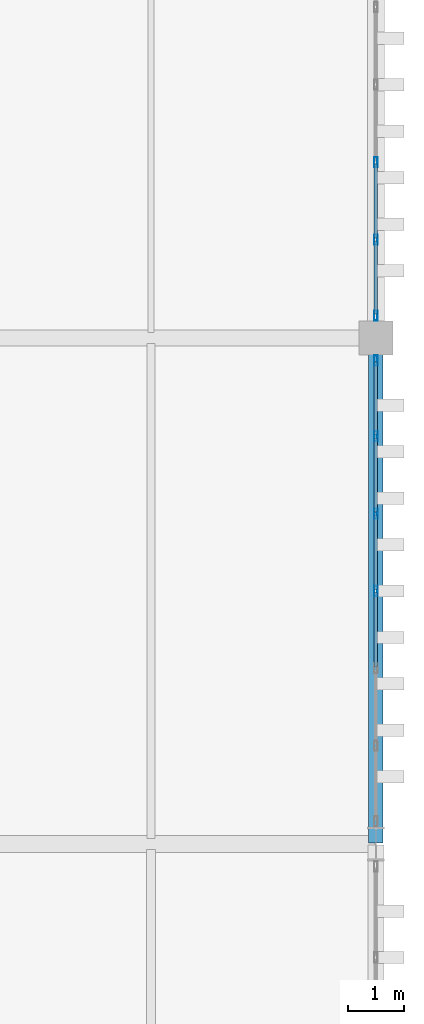
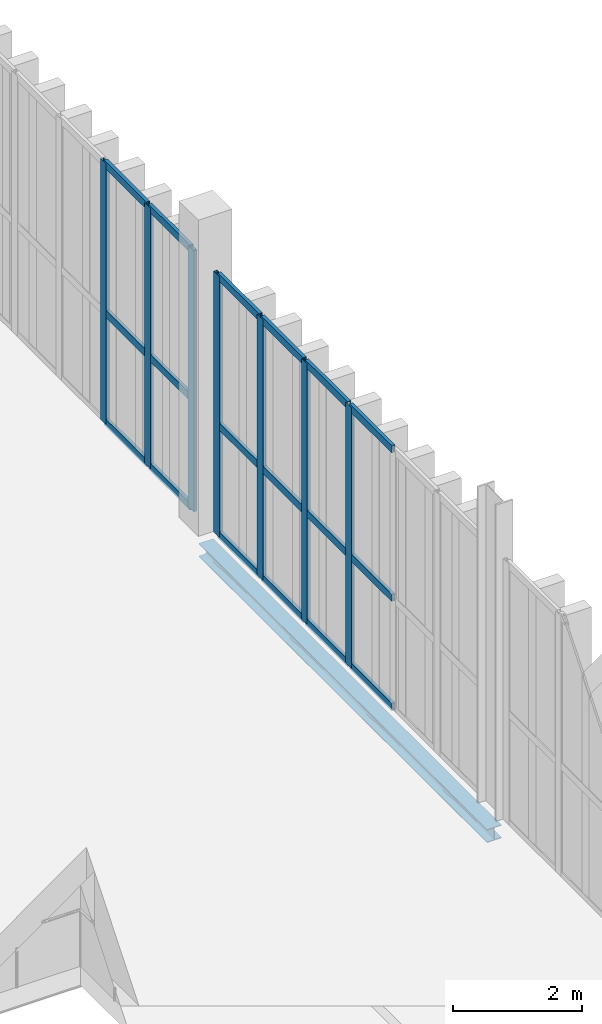
# One storey, part 103 of 211: 25 members, 1 beam, 2 elements without a shape of their own.
"""IFC4 building model written with IfcOpenShell, lengths in metres."""

from ifc_helpers import new_model, si_unit, direction, frame, origin, origin_2d, place, context, subcontext, project, spatial, hollow_rectangle, i_section, extrude, material, layer, layer_set, material_profile, profile_set, type_object, element, aggregate, save


model = new_model("IFC4")

# Units and contexts
model_context = context("Model", 3, precision=1e-05, world=origin(), true_north=direction((0.0, 1.0)))
body_context = subcontext(model_context, "Body", "Model", "MODEL_VIEW")
ifc_project = project(units=[si_unit("LENGTHUNIT", "METRE"), si_unit("AREAUNIT", "SQUARE_METRE"), si_unit("VOLUMEUNIT", "CUBIC_METRE"), si_unit("PLANEANGLEUNIT", "RADIAN"), si_unit("MASSUNIT", "GRAM", prefix="KILO")], contexts=[model_context])

# Site, building, storey
site_placement = place(None, origin())
site = spatial("IfcSite", under=ifc_project, at=site_placement, CompositionType="ELEMENT")
building_placement = place(site_placement, origin())
building = spatial("IfcBuilding", under=site, at=building_placement, Name="Barlavento Convention Centre", CompositionType="ELEMENT")
storey_placement = place(building_placement, frame((0.0, 0.0, 6.0)))
storey = spatial("IfcBuildingStorey", under=building, at=storey_placement, Name="L01", CompositionType="ELEMENT", Elevation=6.0)

# Curtain wall, members
ifc_material_1 = material(Name="Powder-coated aluminium and Low-E glass", Category="aluminium")
ifc_layer = layer(ifc_material_1, 0.195068359375)
ifc_layer_set = layer_set([ifc_layer], Name="ARC-CW-FOY-L01")
curtain_wall_type = type_object("IfcCurtainWallType", Name="ARC-CW-FOY-L01", PredefinedType="NOTDEFINED", material=ifc_layer_set)
curtain_wall_1_placement = place(storey_placement, origin())
curtain_wall_1 = element("IfcCurtainWall", 1, at=curtain_wall_1_placement, inside=storey, type_object=curtain_wall_type, Name="L01 unitised curtain wall CW03", PredefinedType="NOTDEFINED")
ifc_material_2 = material(Name="Powder-coated aluminium", Category="aluminium")
ifc_material_profile_1 = material_profile(ifc_material_2, hollow_rectangle(XDim=0.06005859375, YDim=0.179931640625, WallThickness=0.0048828125, at=origin_2d()), Name="AL-MULL 60x180x5")
ifc_profile_set_1 = profile_set([ifc_material_profile_1], Name="Powder-coated aluminium")
member_type_1 = type_object("IfcMemberType", Name="ARC-CWM-60X180", PredefinedType="MULLION", material=ifc_profile_set_1)
member_1_placement = place(storey_placement, frame((192.0, 22.5, 0.0), z_axis=(0.0, 0.0, 1.0), x_axis=(-1.0, 0.0, 0.0)))
member_1 = element("IfcMember", 2, at=member_1_placement, type_object=member_type_1, Name="CW03 mullion 4", PredefinedType="MULLION", context=body_context, shape_type="SweptSolid", body=[
    extrude(hollow_rectangle(XDim=0.06005859375, YDim=0.179931640625, WallThickness=0.0048828125, at=origin_2d()), origin(), (0.0, 0.0, 1.0), 4.949951171875),
])
member_2_placement = place(storey_placement, frame((192.0, 23.876708984375, 0.0), z_axis=(0.0, 0.0, 1.0), x_axis=(-1.0, 0.0, 0.0)))
member_2 = element("IfcMember", 3, at=member_2_placement, type_object=member_type_1, Name="CW03 mullion 5", PredefinedType="MULLION", context=body_context, shape_type="SweptSolid", body=[
    extrude(hollow_rectangle(XDim=0.06005859375, YDim=0.179931640625, WallThickness=0.0048828125, at=origin_2d()), origin(), (0.0, 0.0, 1.0), 4.949951171875),
])
member_3_placement = place(storey_placement, frame((192.0, 25.25341796875, 0.0), z_axis=(0.0, 0.0, 1.0), x_axis=(-1.0, 0.0, 0.0)))
member_3 = element("IfcMember", 4, at=member_3_placement, type_object=member_type_1, Name="CW03 mullion 6", PredefinedType="MULLION", context=body_context, shape_type="SweptSolid", body=[
    extrude(hollow_rectangle(XDim=0.06005859375, YDim=0.179931640625, WallThickness=0.0048828125, at=origin_2d()), origin(), (0.0, 0.0, 1.0), 4.949951171875),
])
member_4_placement = place(storey_placement, frame((192.0, 26.60009765625, 0.0), z_axis=(0.0, 0.0, 1.0), x_axis=(-1.0, 0.0, 0.0)))
member_4 = element("IfcMember", 5, at=member_4_placement, type_object=member_type_1, Name="CW03 mullion 7", PredefinedType="MULLION", context=body_context, shape_type="SweptSolid", body=[
    extrude(hollow_rectangle(XDim=0.06005859375, YDim=0.179931640625, WallThickness=0.0048828125, at=origin_2d()), origin(), (0.0, 0.0, 1.0), 4.949951171875),
])

curtain_wall_2_placement = place(storey_placement, origin())
curtain_wall_2 = element("IfcCurtainWall", 6, at=curtain_wall_2_placement, inside=storey, type_object=curtain_wall_type, Name="L01 unitised curtain wall CW03", PredefinedType="NOTDEFINED")
member_5_placement = place(storey_placement, frame((192.0, 27.39990234375, 0.0), z_axis=(0.0, 0.0, 1.0), x_axis=(-1.0, 0.0, 0.0)))
member_5 = element("IfcMember", 7, at=member_5_placement, type_object=member_type_1, Name="CW03 mullion 1", PredefinedType="MULLION", context=body_context, shape_type="SweptSolid", body=[
    extrude(hollow_rectangle(XDim=0.06005859375, YDim=0.179931640625, WallThickness=0.0048828125, at=origin_2d()), origin(), (0.0, 0.0, 1.0), 4.949951171875),
])
member_6_placement = place(storey_placement, frame((192.0, 28.7490234375, 0.0), z_axis=(0.0, 0.0, 1.0), x_axis=(-1.0, 0.0, 0.0)))
member_6 = element("IfcMember", 8, at=member_6_placement, type_object=member_type_1, Name="CW03 mullion 2", PredefinedType="MULLION", context=body_context, shape_type="SweptSolid", body=[
    extrude(hollow_rectangle(XDim=0.06005859375, YDim=0.179931640625, WallThickness=0.0048828125, at=origin_2d()), origin(), (0.0, 0.0, 1.0), 4.949951171875),
])
member_7_placement = place(storey_placement, frame((192.0, 30.1279296875, 0.0), z_axis=(0.0, 0.0, 1.0), x_axis=(-1.0, 0.0, 0.0)))
member_7 = element("IfcMember", 9, at=member_7_placement, type_object=member_type_1, Name="CW03 mullion 3", PredefinedType="MULLION", context=body_context, shape_type="SweptSolid", body=[
    extrude(hollow_rectangle(XDim=0.06005859375, YDim=0.179931640625, WallThickness=0.0048828125, at=origin_2d()), origin(), (0.0, 0.0, 1.0), 4.949951171875),
])

# Member
ifc_material_profile_2 = material_profile(ifc_material_2, hollow_rectangle(XDim=0.06005859375, YDim=0.139892578125, WallThickness=0.00390625, at=origin_2d()), Name="AL-TRAN 60x140x4")
ifc_profile_set_2 = profile_set([ifc_material_profile_2], Name="Powder-coated aluminium")
member_type_2 = type_object("IfcMemberType", Name="ARC-CWT-60X140", PredefinedType="USERDEFINED", material=ifc_profile_set_2)
member_8_placement = place(storey_placement, frame((192.0, 21.1533203125, 0.030029296875), z_axis=(0.0, 1.0, 0.0), x_axis=(-1.0, 0.0, 0.0)))
member_8 = element("IfcMember", 10, at=member_8_placement, type_object=member_type_2, Name="CW03 transom 3.1", ObjectType="TRANSOM", PredefinedType="USERDEFINED", context=body_context, shape_type="SweptSolid", body=[
    extrude(hollow_rectangle(XDim=0.06005859375, YDim=0.139892578125, WallThickness=0.00390625, at=origin_2d()), origin(), (0.0, 0.0, 1.0), 1.316650390625),
])

member_9_placement = place(storey_placement, frame((192.0, 21.1533203125, 2.10009765625), z_axis=(0.0, 1.0, 0.0), x_axis=(-1.0, 0.0, 0.0)))
member_9 = element("IfcMember", 11, at=member_9_placement, type_object=member_type_2, Name="CW03 transom 3.2", ObjectType="TRANSOM", PredefinedType="USERDEFINED", context=body_context, shape_type="SweptSolid", body=[
    extrude(hollow_rectangle(XDim=0.06005859375, YDim=0.139892578125, WallThickness=0.00390625, at=origin_2d()), origin(), (0.0, 0.0, 1.0), 1.316650390625),
])

member_10_placement = place(storey_placement, frame((192.0, 21.1533203125, 4.919921875), z_axis=(0.0, 1.0, 0.0), x_axis=(-1.0, 0.0, 0.0)))
member_10 = element("IfcMember", 12, at=member_10_placement, type_object=member_type_2, Name="CW03 transom 3.3", ObjectType="TRANSOM", PredefinedType="USERDEFINED", context=body_context, shape_type="SweptSolid", body=[
    extrude(hollow_rectangle(XDim=0.06005859375, YDim=0.139892578125, WallThickness=0.00390625, at=origin_2d()), origin(), (0.0, 0.0, 1.0), 1.316650390625),
])

member_11_placement = place(storey_placement, frame((192.0, 22.530029296875, 0.030029296875), z_axis=(0.0, 1.0, 0.0), x_axis=(-1.0, 0.0, 0.0)))
member_11 = element("IfcMember", 13, at=member_11_placement, type_object=member_type_2, Name="CW03 transom 4.1", ObjectType="TRANSOM", PredefinedType="USERDEFINED", context=body_context, shape_type="SweptSolid", body=[
    extrude(hollow_rectangle(XDim=0.06005859375, YDim=0.139892578125, WallThickness=0.00390625, at=origin_2d()), origin(), (0.0, 0.0, 1.0), 1.316650390625),
])

member_12_placement = place(storey_placement, frame((192.0, 22.530029296875, 2.10009765625), z_axis=(0.0, 1.0, 0.0), x_axis=(-1.0, 0.0, 0.0)))
member_12 = element("IfcMember", 14, at=member_12_placement, type_object=member_type_2, Name="CW03 transom 4.2", ObjectType="TRANSOM", PredefinedType="USERDEFINED", context=body_context, shape_type="SweptSolid", body=[
    extrude(hollow_rectangle(XDim=0.06005859375, YDim=0.139892578125, WallThickness=0.00390625, at=origin_2d()), origin(), (0.0, 0.0, 1.0), 1.316650390625),
])

member_13_placement = place(storey_placement, frame((192.0, 22.530029296875, 4.919921875), z_axis=(0.0, 1.0, 0.0), x_axis=(-1.0, 0.0, 0.0)))
member_13 = element("IfcMember", 15, at=member_13_placement, type_object=member_type_2, Name="CW03 transom 4.3", ObjectType="TRANSOM", PredefinedType="USERDEFINED", context=body_context, shape_type="SweptSolid", body=[
    extrude(hollow_rectangle(XDim=0.06005859375, YDim=0.139892578125, WallThickness=0.00390625, at=origin_2d()), origin(), (0.0, 0.0, 1.0), 1.316650390625),
])

member_14_placement = place(storey_placement, frame((192.0, 23.90673828125, 0.030029296875), z_axis=(0.0, 1.0, 0.0), x_axis=(-1.0, 0.0, 0.0)))
member_14 = element("IfcMember", 16, at=member_14_placement, type_object=member_type_2, Name="CW03 transom 5.1", ObjectType="TRANSOM", PredefinedType="USERDEFINED", context=body_context, shape_type="SweptSolid", body=[
    extrude(hollow_rectangle(XDim=0.06005859375, YDim=0.139892578125, WallThickness=0.00390625, at=origin_2d()), origin(), (0.0, 0.0, 1.0), 1.316650390625),
])

member_15_placement = place(storey_placement, frame((192.0, 23.90673828125, 2.10009765625), z_axis=(0.0, 1.0, 0.0), x_axis=(-1.0, 0.0, 0.0)))
member_15 = element("IfcMember", 17, at=member_15_placement, type_object=member_type_2, Name="CW03 transom 5.2", ObjectType="TRANSOM", PredefinedType="USERDEFINED", context=body_context, shape_type="SweptSolid", body=[
    extrude(hollow_rectangle(XDim=0.06005859375, YDim=0.139892578125, WallThickness=0.00390625, at=origin_2d()), origin(), (0.0, 0.0, 1.0), 1.316650390625),
])

member_16_placement = place(storey_placement, frame((192.0, 23.90673828125, 4.919921875), z_axis=(0.0, 1.0, 0.0), x_axis=(-1.0, 0.0, 0.0)))
member_16 = element("IfcMember", 18, at=member_16_placement, type_object=member_type_2, Name="CW03 transom 5.3", ObjectType="TRANSOM", PredefinedType="USERDEFINED", context=body_context, shape_type="SweptSolid", body=[
    extrude(hollow_rectangle(XDim=0.06005859375, YDim=0.139892578125, WallThickness=0.00390625, at=origin_2d()), origin(), (0.0, 0.0, 1.0), 1.316650390625),
])

member_17_placement = place(storey_placement, frame((192.0, 25.283447265625, 0.030029296875), z_axis=(0.0, 1.0, 0.0), x_axis=(-1.0, 0.0, 0.0)))
member_17 = element("IfcMember", 19, at=member_17_placement, type_object=member_type_2, Name="CW03 transom 6.1", ObjectType="TRANSOM", PredefinedType="USERDEFINED", context=body_context, shape_type="SweptSolid", body=[
    extrude(hollow_rectangle(XDim=0.06005859375, YDim=0.139892578125, WallThickness=0.00390625, at=origin_2d()), origin(), (0.0, 0.0, 1.0), 1.28662109375),
])

member_18_placement = place(storey_placement, frame((192.0, 25.283447265625, 2.10009765625), z_axis=(0.0, 1.0, 0.0), x_axis=(-1.0, 0.0, 0.0)))
member_18 = element("IfcMember", 20, at=member_18_placement, type_object=member_type_2, Name="CW03 transom 6.2", ObjectType="TRANSOM", PredefinedType="USERDEFINED", context=body_context, shape_type="SweptSolid", body=[
    extrude(hollow_rectangle(XDim=0.06005859375, YDim=0.139892578125, WallThickness=0.00390625, at=origin_2d()), origin(), (0.0, 0.0, 1.0), 1.28662109375),
])

member_19_placement = place(storey_placement, frame((192.0, 25.283447265625, 4.919921875), z_axis=(0.0, 1.0, 0.0), x_axis=(-1.0, 0.0, 0.0)))
member_19 = element("IfcMember", 21, at=member_19_placement, type_object=member_type_2, Name="CW03 transom 6.3", ObjectType="TRANSOM", PredefinedType="USERDEFINED", context=body_context, shape_type="SweptSolid", body=[
    extrude(hollow_rectangle(XDim=0.06005859375, YDim=0.139892578125, WallThickness=0.00390625, at=origin_2d()), origin(), (0.0, 0.0, 1.0), 1.28662109375),
])

aggregate(curtain_wall_1, [member_1, member_2, member_3, member_4, member_8, member_9, member_10, member_11, member_12, member_13, member_14, member_15, member_16, member_17, member_18, member_19])

member_20_placement = place(storey_placement, frame((192.0, 27.429931640625, 0.030029296875), z_axis=(0.0, 1.0, 0.0), x_axis=(-1.0, 0.0, 0.0)))
member_20 = element("IfcMember", 22, at=member_20_placement, type_object=member_type_2, Name="CW03 transom 1.1", ObjectType="TRANSOM", PredefinedType="USERDEFINED", context=body_context, shape_type="SweptSolid", body=[
    extrude(hollow_rectangle(XDim=0.06005859375, YDim=0.139892578125, WallThickness=0.00390625, at=origin_2d()), origin(), (0.0, 0.0, 1.0), 1.2890625),
])

member_21_placement = place(storey_placement, frame((192.0, 27.429931640625, 2.10009765625), z_axis=(0.0, 1.0, 0.0), x_axis=(-1.0, 0.0, 0.0)))
member_21 = element("IfcMember", 23, at=member_21_placement, type_object=member_type_2, Name="CW03 transom 1.2", ObjectType="TRANSOM", PredefinedType="USERDEFINED", context=body_context, shape_type="SweptSolid", body=[
    extrude(hollow_rectangle(XDim=0.06005859375, YDim=0.139892578125, WallThickness=0.00390625, at=origin_2d()), origin(), (0.0, 0.0, 1.0), 1.2890625),
])

member_22_placement = place(storey_placement, frame((192.0, 27.429931640625, 4.919921875), z_axis=(0.0, 1.0, 0.0), x_axis=(-1.0, 0.0, 0.0)))
member_22 = element("IfcMember", 24, at=member_22_placement, type_object=member_type_2, Name="CW03 transom 1.3", ObjectType="TRANSOM", PredefinedType="USERDEFINED", context=body_context, shape_type="SweptSolid", body=[
    extrude(hollow_rectangle(XDim=0.06005859375, YDim=0.139892578125, WallThickness=0.00390625, at=origin_2d()), origin(), (0.0, 0.0, 1.0), 1.2890625),
])

member_23_placement = place(storey_placement, frame((192.0, 28.779052734375, 0.030029296875), z_axis=(0.0, 1.0, 0.0), x_axis=(-1.0, 0.0, 0.0)))
member_23 = element("IfcMember", 25, at=member_23_placement, type_object=member_type_2, Name="CW03 transom 2.1", ObjectType="TRANSOM", PredefinedType="USERDEFINED", context=body_context, shape_type="SweptSolid", body=[
    extrude(hollow_rectangle(XDim=0.06005859375, YDim=0.139892578125, WallThickness=0.00390625, at=origin_2d()), origin(), (0.0, 0.0, 1.0), 1.31884765625),
])

member_24_placement = place(storey_placement, frame((192.0, 28.779052734375, 2.10009765625), z_axis=(0.0, 1.0, 0.0), x_axis=(-1.0, 0.0, 0.0)))
member_24 = element("IfcMember", 26, at=member_24_placement, type_object=member_type_2, Name="CW03 transom 2.2", ObjectType="TRANSOM", PredefinedType="USERDEFINED", context=body_context, shape_type="SweptSolid", body=[
    extrude(hollow_rectangle(XDim=0.06005859375, YDim=0.139892578125, WallThickness=0.00390625, at=origin_2d()), origin(), (0.0, 0.0, 1.0), 1.31884765625),
])

member_25_placement = place(storey_placement, frame((192.0, 28.779052734375, 4.919921875), z_axis=(0.0, 1.0, 0.0), x_axis=(-1.0, 0.0, 0.0)))
member_25 = element("IfcMember", 27, at=member_25_placement, type_object=member_type_2, Name="CW03 transom 2.3", ObjectType="TRANSOM", PredefinedType="USERDEFINED", context=body_context, shape_type="SweptSolid", body=[
    extrude(hollow_rectangle(XDim=0.06005859375, YDim=0.139892578125, WallThickness=0.00390625, at=origin_2d()), origin(), (0.0, 0.0, 1.0), 1.31884765625),
])

aggregate(curtain_wall_2, [member_5, member_6, member_7, member_20, member_21, member_22, member_23, member_24, member_25])

# Beam
ifc_material_3 = material(Name="Steel S355", Category="steel")
ifc_material_profile_3 = material_profile(ifc_material_3, i_section(OverallWidth=0.260009765625, OverallDepth=0.25, WebThickness=0.007568359375, FlangeThickness=0.012451171875, FilletRadius=0.02392578125, at=origin_2d()), Name="HEA 260")
ifc_profile_set_3 = profile_set([ifc_material_profile_3], Name="Steel S355")
beam_type = type_object("IfcBeamType", Name="STR-BM-SPN-HEA260", PredefinedType="SPANDREL", material=ifc_profile_set_3)
beam_placement = place(storey_placement, frame((192.0, 18.02001953125, -0.485107421875), z_axis=(0.0, 1.0, 0.0), x_axis=(-1.0, 0.0, 0.0)))
element("IfcBeam", 28, at=beam_placement, inside=storey, type_object=beam_type, Name="L01 grid girder SP04", PredefinedType="SPANDREL", context=body_context, shape_type="SweptSolid", body=[
    extrude(i_section(OverallWidth=0.260009765625, OverallDepth=0.25, WebThickness=0.007568359375, FlangeThickness=0.012451171875, FilletRadius=0.02392578125, at=origin_2d()), origin(), (0.0, 0.0, 1.0), 8.9599609375),
])

save(model, "model.ifc")
